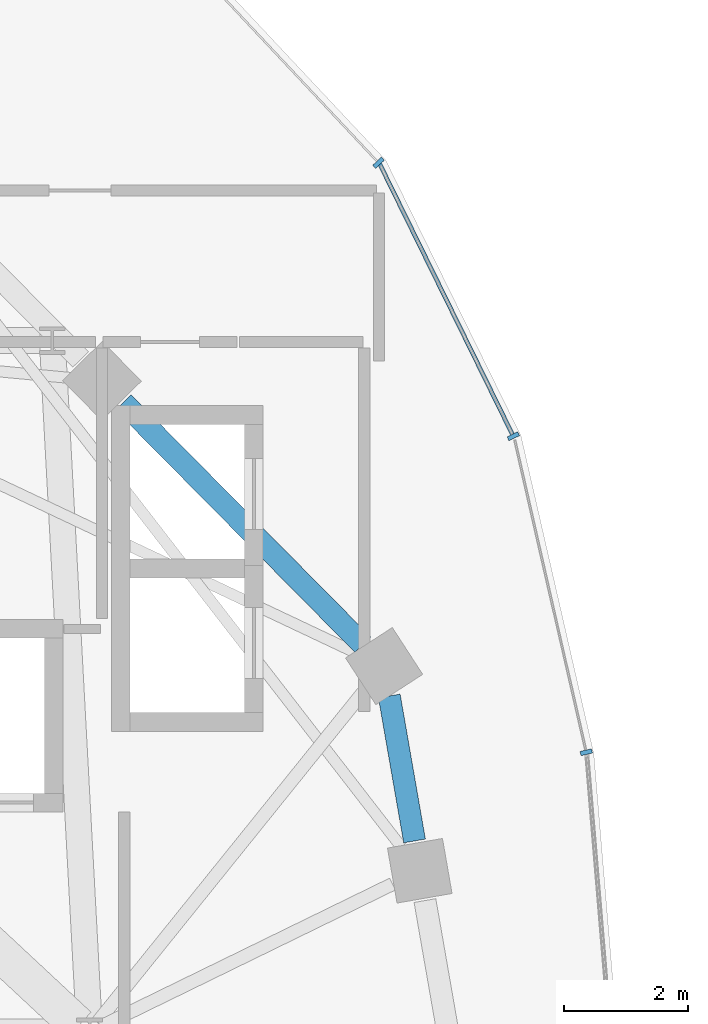
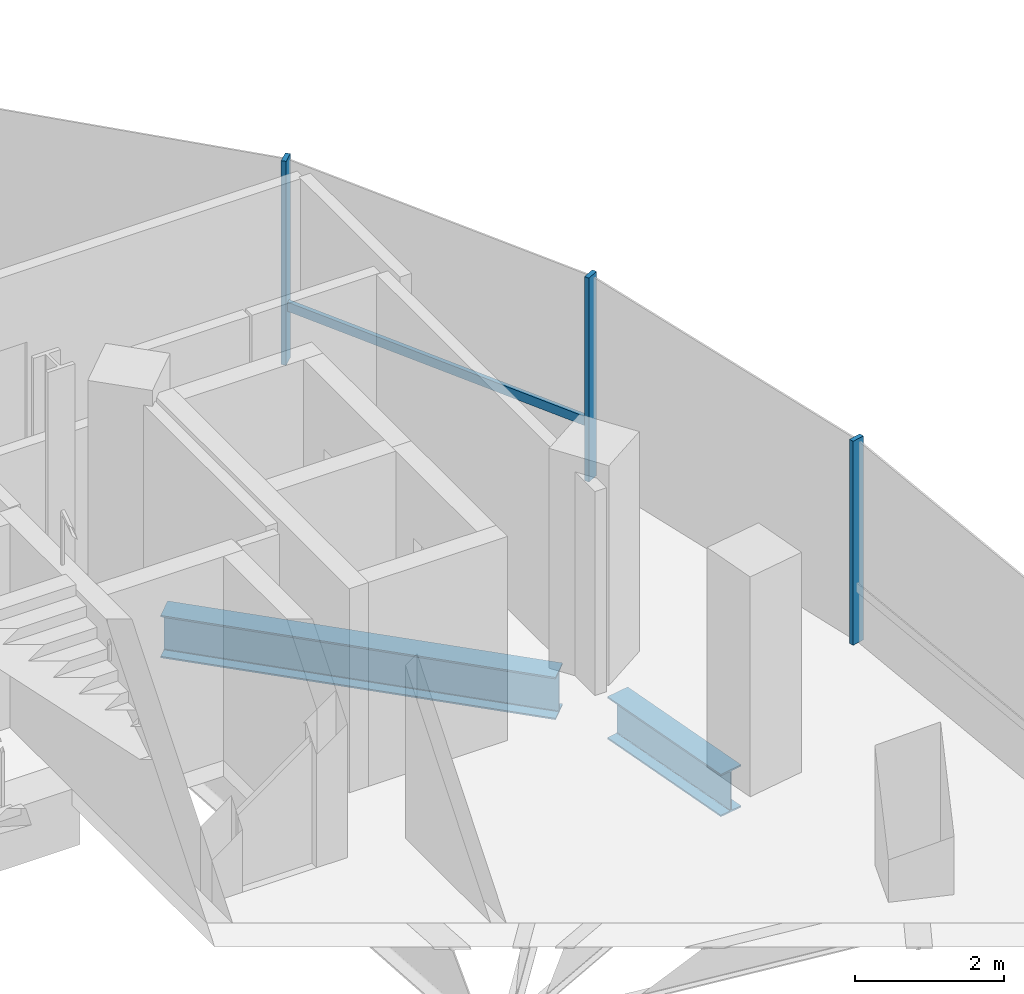
# One storey, part 7 of 25: 4 members, 2 beams, 1 element without a shape of its own.
"""IFC4 building model written with IfcOpenShell, lengths in metres."""

from ifc_helpers import new_model, si_unit, direction, frame, origin, origin_2d, place, context, subcontext, project, spatial, rectangle, i_section, extrude, material, material_profile, profile_set, type_object, element, aggregate, save


model = new_model("IFC4")

# Units and contexts
model_context = context("Model", 3, precision=1e-05, world=origin(), true_north=direction((0.0, 1.0)))
body_context = subcontext(model_context, "Body", "Model", "MODEL_VIEW")
ifc_project = project(units=[si_unit("LENGTHUNIT", "METRE"), si_unit("AREAUNIT", "SQUARE_METRE"), si_unit("VOLUMEUNIT", "CUBIC_METRE"), si_unit("PLANEANGLEUNIT", "RADIAN"), si_unit("MASSUNIT", "GRAM", prefix="KILO"), si_unit("THERMODYNAMICTEMPERATUREUNIT", "KELVIN"), si_unit("POWERUNIT", "WATT")], contexts=[model_context])

# Site, building, storey
site_placement = place(None, origin())
site = spatial("IfcSite", under=ifc_project, at=site_placement, CompositionType="ELEMENT")
building_placement = place(site_placement, origin())
building = spatial("IfcBuilding", under=site, at=building_placement, Name="Cundina Bronze Exchange", CompositionType="ELEMENT")
storey_placement = place(building_placement, frame((0.0, 0.0, 191.800048828125)))
storey = spatial("IfcBuildingStorey", under=building, at=storey_placement, Name="L50", CompositionType="ELEMENT", Elevation=191.800048828125)

# Beams
ifc_material_1 = material(Name="Steel ASTM A992 Grade 50", Category="steel")
ifc_material_profile_1 = material_profile(ifc_material_1, i_section(OverallWidth=0.35498046875, OverallDepth=0.695068359375, WebThickness=0.015380859375, FlangeThickness=0.02490234375, FilletRadius=0.01806640625, at=origin_2d()), Name="W27X146", Category="steel")
ifc_profile_set_1 = profile_set([ifc_material_profile_1], Name="Steel ASTM A992 Grade 50")
beam_type = type_object("IfcBeamType", Name="BM-RING-W27", PredefinedType="USERDEFINED", material=ifc_profile_set_1)
beam_1_placement = place(storey_placement, frame((-16.208740234375, 6.980712890625, -0.607666015625), z_axis=(-0.171666718895, 0.985155083032, 0.0), x_axis=(-0.985155083032, -0.171666718895, 0.0)))
element("IfcBeam", 1, at=beam_1_placement, inside=storey, type_object=beam_type, Name="L50 W Perimeter Ring Girder 01", ObjectType="GIRDER", PredefinedType="USERDEFINED", context=body_context, shape_type="SweptSolid", body=[
    extrude(i_section(OverallWidth=0.35498046875, OverallDepth=0.695068359375, WebThickness=0.015380859375, FlangeThickness=0.02490234375, FilletRadius=0.01806640625, at=origin_2d()), origin(), (0.0, 0.0, 1.0), 2.37353515625),
])
beam_2_placement = place(storey_placement, frame((-17.043212890625, 10.14697265625, -0.607666015625), z_axis=(-0.703230112979, 0.710962311378, 0.0), x_axis=(-0.710962311378, -0.703230112979, 0.0)))
element("IfcBeam", 2, at=beam_2_placement, inside=storey, type_object=beam_type, Name="L50 W Perimeter Ring Girder 02", ObjectType="GIRDER", PredefinedType="USERDEFINED", context=body_context, shape_type="SweptSolid", body=[
    extrude(i_section(OverallWidth=0.35498046875, OverallDepth=0.695068359375, WebThickness=0.015380859375, FlangeThickness=0.02490234375, FilletRadius=0.01806640625, at=origin_2d()), origin(), (0.0, 0.0, 1.0), 5.493896484375),
])

# Curtain wall, members
ifc_material_2 = material(Name="Anodised Bronze Aluminium 6063-T6", Category="aluminium")
curtain_wall_type = type_object("IfcCurtainWallType", Name="CWS-UPP-OFF", PredefinedType="NOTDEFINED", material=ifc_material_2)
curtain_wall_placement = place(storey_placement, origin())
curtain_wall = element("IfcCurtainWall", 3, at=curtain_wall_placement, inside=storey, type_object=curtain_wall_type, Name="L50 CW-05 Curtain Wall Run CWR-L50-W1", PredefinedType="NOTDEFINED")
ifc_material_profile_2 = material_profile(ifc_material_2, rectangle(XDim=0.070068359375, YDim=0.18994140625, at=origin_2d()), Name="AL70X190", Category="aluminium")
ifc_profile_set_2 = profile_set([ifc_material_profile_2], Name="Anodised Bronze Aluminium 6063-T6")
member_type_1 = type_object("IfcMemberType", Name="CWM-MUL-190", PredefinedType="MULLION", material=ifc_profile_set_2)
member_1_placement = place(storey_placement, frame((-13.43994140625, 8.4111328125, 0.0), z_axis=(0.0, 0.0, 1.0), x_axis=(-0.223250116011, 0.974761194191, 0.0)))
member_1 = element("IfcMember", 4, at=member_1_placement, type_object=member_type_1, Name="CW-05 Mullion 2", PredefinedType="MULLION", context=body_context, shape_type="SweptSolid", body=[
    extrude(rectangle(XDim=0.070068359375, YDim=0.18994140625, at=origin_2d()), origin(), (0.0, 0.0, 1.0), 3.33984375),
])
member_2_placement = place(storey_placement, frame((-14.61572265625, 13.50732421875, 0.0), z_axis=(0.0, 0.0, 1.0), x_axis=(-0.440566004113, 0.897720221461, 0.0)))
member_2 = element("IfcMember", 5, at=member_2_placement, type_object=member_type_1, Name="CW-05 Mullion 3", PredefinedType="MULLION", context=body_context, shape_type="SweptSolid", body=[
    extrude(rectangle(XDim=0.070068359375, YDim=0.18994140625, at=origin_2d()), origin(), (0.0, 0.0, 1.0), 3.33984375),
])
member_3_placement = place(storey_placement, frame((-16.790283203125, 17.91796875, 0.0), z_axis=(0.0, 0.0, 1.0), x_axis=(-0.684292606175, 0.729207535023, 0.0)))
member_3 = element("IfcMember", 6, at=member_3_placement, type_object=member_type_1, Name="CW-05 Mullion 4", PredefinedType="MULLION", context=body_context, shape_type="SweptSolid", body=[
    extrude(rectangle(XDim=0.070068359375, YDim=0.18994140625, at=origin_2d()), origin(), (0.0, 0.0, 1.0), 3.33984375),
])
ifc_material_profile_3 = material_profile(ifc_material_2, rectangle(XDim=0.06494140625, YDim=0.14990234375, at=origin_2d()), Name="AL65X150", Category="aluminium")
ifc_profile_set_3 = profile_set([ifc_material_profile_3], Name="Anodised Bronze Aluminium 6063-T6")
member_type_2 = type_object("IfcMemberType", Name="CWM-TRN-150", PredefinedType="USERDEFINED", material=ifc_profile_set_3)
member_4_placement = place(storey_placement, frame((-14.6328125, 13.5419921875, 0.919921875), z_axis=(-0.440483110889, 0.897760897467, 0.0), x_axis=(-0.897760897467, -0.440483110889, 0.0)))
member_4 = element("IfcMember", 7, at=member_4_placement, type_object=member_type_2, Name="CW-05 Spandrel Transom 3", ObjectType="TRANSOM", PredefinedType="USERDEFINED", context=body_context, shape_type="SweptSolid", body=[
    extrude(rectangle(XDim=0.06494140625, YDim=0.14990234375, at=origin_2d()), origin(), (0.0, 0.0, 1.0), 4.855224609375),
])
aggregate(curtain_wall, [member_1, member_2, member_4, member_3])

save(model, "model.ifc")
